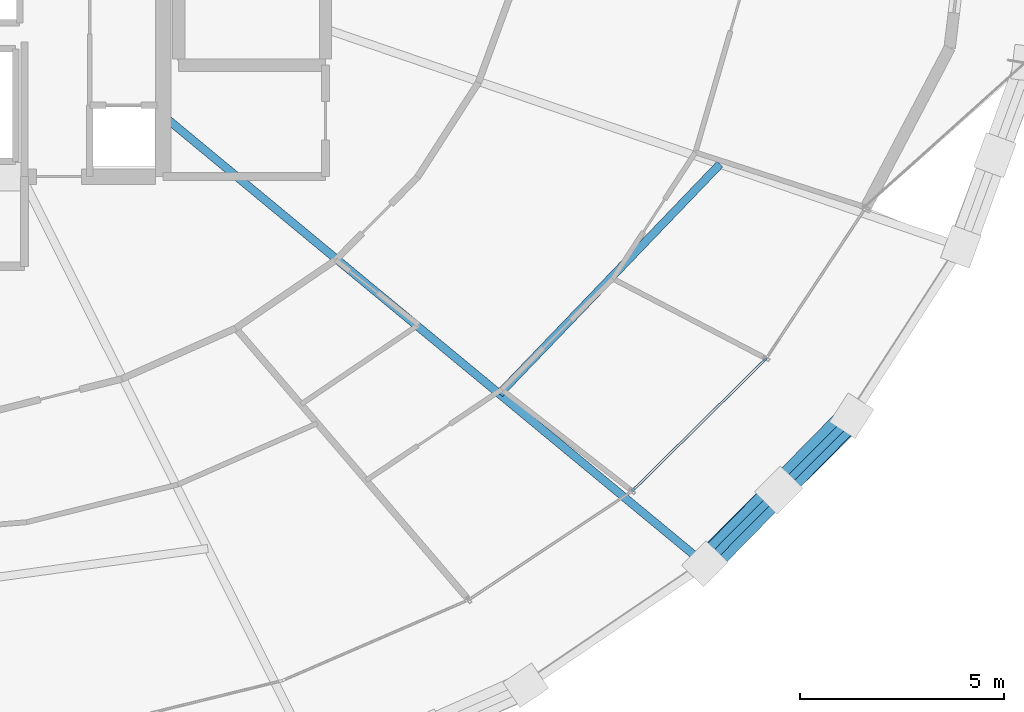
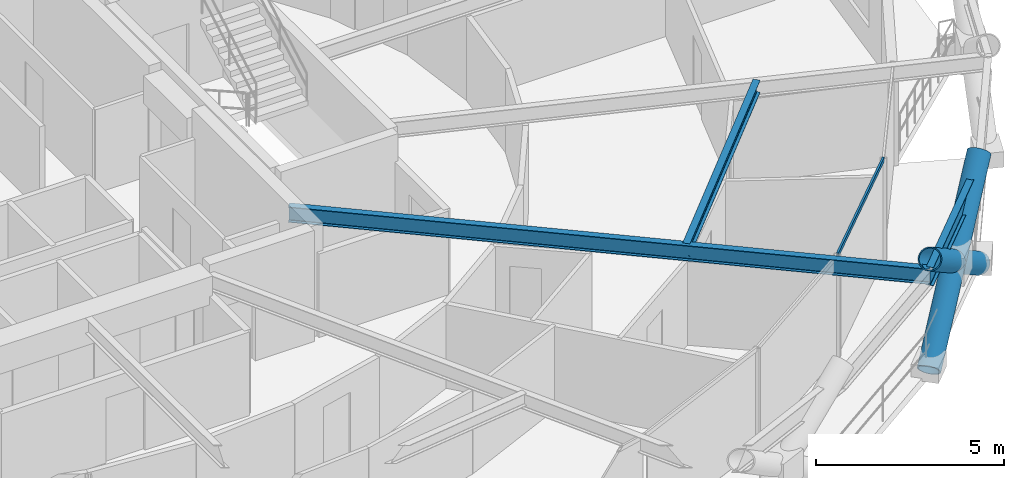
# One storey, part 11 of 21: 4 members, 3 beams, 1 element without a shape of its own.
"""IFC4 building model written with IfcOpenShell, lengths in metres."""

from ifc_helpers import new_model, si_unit, direction, frame, origin, origin_2d, place, context, subcontext, project, spatial, hollow_rectangle, hollow_circle, i_section, extrude, material, layer, layer_set, material_profile, profile_set, type_object, element, aggregate, save


model = new_model("IFC4")

# Units and contexts
model_context = context("Model", 3, precision=1e-05, world=origin(), true_north=direction((0.0, 1.0)))
body_context = subcontext(model_context, "Body", "Model", "MODEL_VIEW")
ifc_project = project(units=[si_unit("LENGTHUNIT", "METRE"), si_unit("AREAUNIT", "SQUARE_METRE"), si_unit("VOLUMEUNIT", "CUBIC_METRE"), si_unit("PLANEANGLEUNIT", "RADIAN"), si_unit("MASSUNIT", "GRAM", prefix="KILO")], contexts=[model_context])

# Site, building, storey
site_placement = place(None, origin())
site = spatial("IfcSite", under=ifc_project, at=site_placement, CompositionType="ELEMENT")
building_placement = place(site_placement, origin())
building = spatial("IfcBuilding", under=site, at=building_placement, Name="Veldorina Hangang Commons", CompositionType="ELEMENT")
storey_placement = place(building_placement, frame((0.0, 0.0, 73.60009765625)))
storey = spatial("IfcBuildingStorey", under=building, at=storey_placement, Name="L18", CompositionType="ELEMENT", Elevation=73.60009765625)

# Beams
ifc_material_1 = material(Name="Steel SM420-TMC", Category="steel")
ifc_material_profile_1 = material_profile(ifc_material_1, i_section(OverallWidth=0.199951171875, OverallDepth=0.5, WebThickness=0.010009765625, FlangeThickness=0.01611328125, FilletRadius=0.01611328125, at=origin_2d()), Name="H-500x200x10x16")
ifc_profile_set_1 = profile_set([ifc_material_profile_1], Name="Steel SM420-TMC")
beam_type_1 = type_object("IfcBeamType", Name="BM-FG500", PredefinedType="BEAM", material=ifc_profile_set_1)
beam_1_placement = place(storey_placement, frame((39.199951171875, 18.0419921875, 3.08984375), z_axis=(0.770429061473, -0.637525733785, 0.0), x_axis=(0.637525733785, 0.770429061473, 0.0)))
element("IfcBeam", 1, at=beam_1_placement, inside=storey, type_object=beam_type_1, Name="L18 radial floor girder 15", PredefinedType="BEAM", context=body_context, shape_type="SweptSolid", body=[
    extrude(i_section(OverallWidth=0.199951171875, OverallDepth=0.5, WebThickness=0.010009765625, FlangeThickness=0.01611328125, FilletRadius=0.01611328125, at=origin_2d()), origin(), (0.0, 0.0, 1.0), 17.25830078125),
])
ifc_material_2 = material(Name="Steel SM355-TMC", Category="steel")
ifc_material_profile_2 = material_profile(ifc_material_2, i_section(OverallWidth=0.199951171875, OverallDepth=0.39990234375, WebThickness=0.008056640625, FlangeThickness=0.012939453125, FilletRadius=0.012939453125, at=origin_2d()), Name="H-400x200x8x13")
ifc_profile_set_2 = profile_set([ifc_material_profile_2], Name="Steel SM355-TMC")
beam_type_2 = type_object("IfcBeamType", Name="BM-JST400", PredefinedType="JOIST", material=ifc_profile_set_2)
beam_2_placement = place(storey_placement, frame((47.443603515625, 11.22021484375, 3.139892578125), z_axis=(0.692594304612, 0.721327338466, 0.0), x_axis=(-0.721327338466, 0.692594304612, 0.0)))
element("IfcBeam", 2, at=beam_2_placement, inside=storey, type_object=beam_type_2, Name="L18 secondary floor joist 15", PredefinedType="JOIST", context=body_context, shape_type="SweptSolid", body=[
    extrude(i_section(OverallWidth=0.199951171875, OverallDepth=0.39990234375, WebThickness=0.008056640625, FlangeThickness=0.012939453125, FilletRadius=0.012939453125, at=origin_2d()), origin(), (0.0, 0.0, 1.0), 7.80859375),
])
ifc_material_profile_3 = material_profile(ifc_material_1, i_section(OverallWidth=0.199951171875, OverallDepth=0.60009765625, WebThickness=0.010986328125, FlangeThickness=0.01708984375, FilletRadius=0.01806640625, at=origin_2d()), Name="H-600x200x11x17")
ifc_profile_set_3 = profile_set([ifc_material_profile_3], Name="Steel SM420-TMC")
beam_type_3 = type_object("IfcBeamType", Name="BM-RB600", PredefinedType="BEAM", material=ifc_profile_set_3)
beam_3_placement = place(storey_placement, frame((52.496337890625, 7.039306640625, 3.039794921875), z_axis=(0.704215546876, 0.709986241795, 0.0), x_axis=(-0.709986241795, 0.704215546876, 0.0)))
element("IfcBeam", 3, at=beam_3_placement, inside=storey, type_object=beam_type_3, Name="L18 perimeter hoop ring beam 28", PredefinedType="BEAM", context=body_context, shape_type="SweptSolid", body=[
    extrude(i_section(OverallWidth=0.199951171875, OverallDepth=0.60009765625, WebThickness=0.010986328125, FlangeThickness=0.01708984375, FilletRadius=0.01806640625, at=origin_2d()), origin(), (0.0, 0.0, 1.0), 5.119140625),
])

# Curtain wall, member
ifc_material_3 = material(Name="Glass Low-E Triple IGU", Category="glass")
ifc_layer = layer(ifc_material_3, 0.179931640625)
ifc_layer_set = layer_set([ifc_layer], Name="Glass Low-E Triple IGU")
curtain_wall_type = type_object("IfcCurtainWallType", Name="CW-SYS-Z1", PredefinedType="NOTDEFINED", material=ifc_layer_set)
curtain_wall_placement = place(storey_placement, origin())
curtain_wall = element("IfcCurtainWall", 4, at=curtain_wall_placement, inside=storey, type_object=curtain_wall_type, Name="L18 unitised curtain wall CW-L18-R2", PredefinedType="NOTDEFINED")
ifc_material_4 = material(Name="Aluminium Anodized AA6063-T6", Category="aluminium")
ifc_material_profile_4 = material_profile(ifc_material_4, hollow_rectangle(XDim=0.06005859375, YDim=0.139892578125, WallThickness=0.00341796875, at=origin_2d()), Name="ALU-RHS-140x60x3.5")
ifc_profile_set_4 = profile_set([ifc_material_profile_4], Name="Aluminium Anodized AA6063-T6")
member_type_1 = type_object("IfcMemberType", Name="CW-TRN-140", PredefinedType="USERDEFINED", material=ifc_profile_set_4)
member_1_placement = place(storey_placement, frame((50.697509765625, 8.837890625, 3.260009765625), z_axis=(0.711345173884, 0.702842829935, 0.0), x_axis=(-0.702842829935, 0.711345173884, 0.0)))
member_1 = element("IfcMember", 5, at=member_1_placement, type_object=member_type_1, Name="CW-L18-R2 facet 4 transom 1", ObjectType="TRANSOM", PredefinedType="USERDEFINED", context=body_context, shape_type="SweptSolid", body=[
    extrude(hollow_rectangle(XDim=0.06005859375, YDim=0.139892578125, WallThickness=0.00341796875, at=origin_2d()), origin(), (0.0, 0.0, 1.0), 4.623046875),
])
aggregate(curtain_wall, [member_1])

# Members
ifc_material_5 = material(Name="Steel SM460-TMC", Category="steel")
ifc_material_profile_5 = material_profile(ifc_material_5, hollow_circle(Radius=0.324951171875, WallThickness=0.031982421875, at=origin_2d()), Name="CHS-650x32")
ifc_profile_set_5 = profile_set([ifc_material_profile_5], Name="Steel SM460-TMC")
member_type_2 = type_object("IfcMemberType", Name="DG-CHS650", PredefinedType="BRACE", material=ifc_profile_set_5)
member_2_placement = place(storey_placement, frame((52.4794921875, 7.055908203125, 0.0), z_axis=(0.579220204613, 0.57765991044, 0.575163439762), x_axis=(-0.706152457931, 0.708059818206, 0.0)))
element("IfcMember", 6, at=member_2_placement, inside=storey, type_object=member_type_2, Name="L18 continuous perimeter diagrid brace 28", PredefinedType="BRACE", context=body_context, shape_type="SweptSolid", body=[
    extrude(hollow_circle(Radius=0.324951171875, WallThickness=0.031982421875, at=origin_2d()), origin(), (0.0, 0.0, 1.0), 6.2587890625),
])
member_3_placement = place(storey_placement, frame((56.081298828125, 10.687255859375, 0.0), z_axis=(-0.572722709753, -0.583736608017, 0.575534768884), x_axis=(0.713808759938, -0.700340670128, 0.0)))
element("IfcMember", 7, at=member_3_placement, inside=storey, type_object=member_type_2, Name="L18 split perimeter diagrid lower brace 29", PredefinedType="BRACE", context=body_context, shape_type="SweptSolid", body=[
    extrude(hollow_circle(Radius=0.324951171875, WallThickness=0.031982421875, at=origin_2d()), origin(), (0.0, 0.0, 1.0), 3.12548828125),
])
member_4_placement = place(storey_placement, frame((54.291259765625, 8.86279296875, 1.798828125), z_axis=(-0.572623493314, -0.583781029701, 0.575588433054), x_axis=(0.713896052406, -0.700251687866, 0.0)))
element("IfcMember", 8, at=member_4_placement, inside=storey, type_object=member_type_2, Name="L18 split perimeter diagrid upper brace 29", PredefinedType="BRACE", context=body_context, shape_type="SweptSolid", body=[
    extrude(hollow_circle(Radius=0.324951171875, WallThickness=0.031982421875, at=origin_2d()), origin(), (0.0, 0.0, 1.0), 3.12890625),
])

save(model, "model.ifc")
